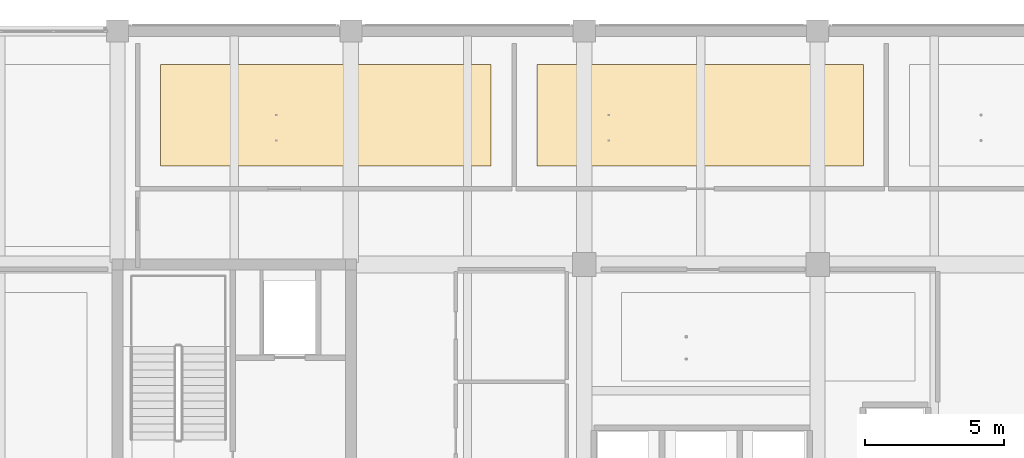
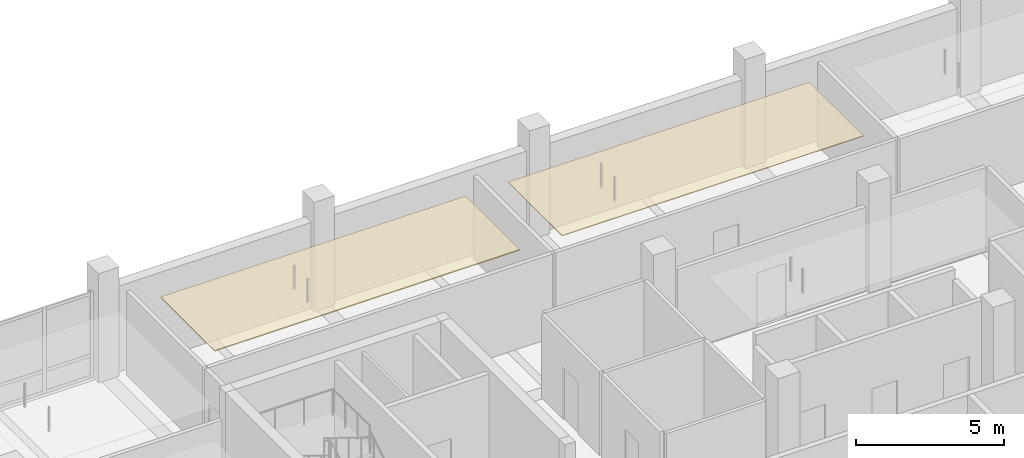
# One storey, part 27 of 35: 2 coverings.
"""IFC4 building model written with IfcOpenShell, lengths in metres."""

from ifc_helpers import new_model, si_unit, direction, frame, origin, place, context, subcontext, project, spatial, polyline, outline, extrude, material, layer, layer_set, type_object, element, save


model = new_model("IFC4")

# Units and contexts
model_context = context("Model", 3, precision=1e-05, world=origin(), true_north=direction((0.0, 1.0)))
body_context = subcontext(model_context, "Body", "Model", "MODEL_VIEW")
ifc_project = project(units=[si_unit("LENGTHUNIT", "METRE"), si_unit("AREAUNIT", "SQUARE_METRE"), si_unit("VOLUMEUNIT", "CUBIC_METRE"), si_unit("PLANEANGLEUNIT", "RADIAN"), si_unit("MASSUNIT", "GRAM", prefix="KILO")], contexts=[model_context])

# Site, building, storey
site_placement = place(None, origin())
site = spatial("IfcSite", under=ifc_project, at=site_placement, CompositionType="ELEMENT")
building_placement = place(site_placement, origin())
building = spatial("IfcBuilding", under=site, at=building_placement, Name="Telukmera Botanical Conservatory", CompositionType="ELEMENT")
storey_placement = place(building_placement, frame((0.0, 0.0, 28.5)))
storey = spatial("IfcBuildingStorey", under=building, at=storey_placement, Name="L06", CompositionType="ELEMENT", Elevation=28.5)

# Coverings
ifc_material_1 = material(Name="Mineral fibre acoustic ceiling")
ifc_layer_1 = layer(ifc_material_1, 0.030029296875)
ifc_layer_set_1 = layer_set([ifc_layer_1], Name="Mineral fibre acoustic ceiling")
covering_type_1 = type_object("IfcCoveringType", Name="COV-CEIL-30", PredefinedType="CEILING", material=ifc_layer_set_1)
covering_1_placement = place(storey_placement, frame((0.0, 0.0, 3.320068359375)))
element("IfcCovering", 1, at=covering_1_placement, inside=storey, type_object=covering_type_1, Name="L06 Herbarium Digitization Studio Suspended Acoustic Ceiling", PredefinedType="CEILING", context=body_context, shape_type="SweptSolid", body=[
    extrude(outline(polyline([(73.89990234375, 37.949951171875), (85.64990234375, 37.949951171875), (85.64990234375, 41.60009765625), (73.89990234375, 41.60009765625), (73.89990234375, 37.949951171875)])), origin(), (0.0, 0.0, 1.0), 0.030029296875),
])
ifc_material_2 = material(Name="Perforated gypsum acoustic ceiling")
ifc_layer_2 = layer(ifc_material_2, 0.0400390625)
ifc_layer_set_2 = layer_set([ifc_layer_2], Name="Perforated gypsum acoustic ceiling")
covering_type_2 = type_object("IfcCoveringType", Name="COV-CEIL-40", PredefinedType="CEILING", material=ifc_layer_set_2)
covering_2_placement = place(storey_placement, frame((0.0, 0.0, 3.31005859375)))
element("IfcCovering", 2, at=covering_2_placement, inside=storey, type_object=covering_type_2, Name="L06 Seed Morphology Laboratory Suspended Acoustic Ceiling", PredefinedType="CEILING", context=body_context, shape_type="SweptSolid", body=[
    extrude(outline(polyline([(60.35009765625, 37.949951171875), (72.25, 37.949951171875), (72.25, 41.60009765625), (60.35009765625, 41.60009765625), (60.35009765625, 37.949951171875)])), origin(), (0.0, 0.0, 1.0), 0.0400390625),
])

save(model, "model.ifc")
